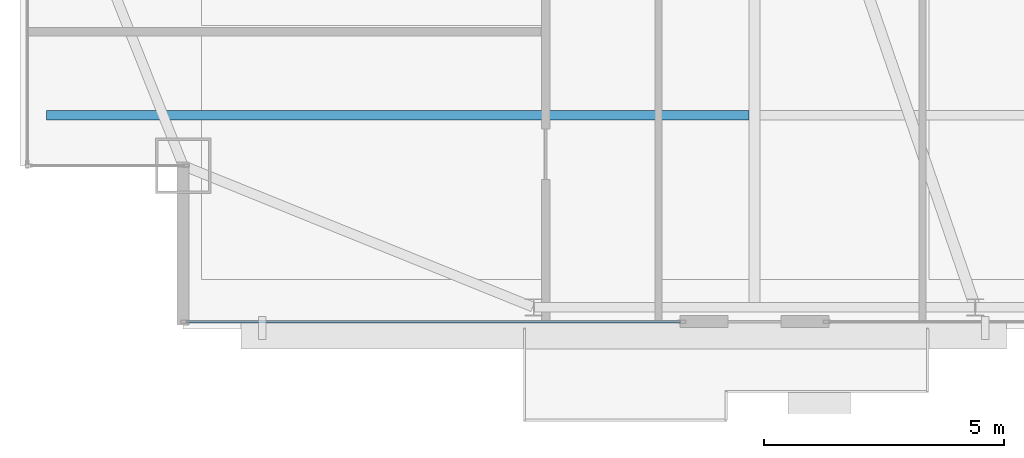
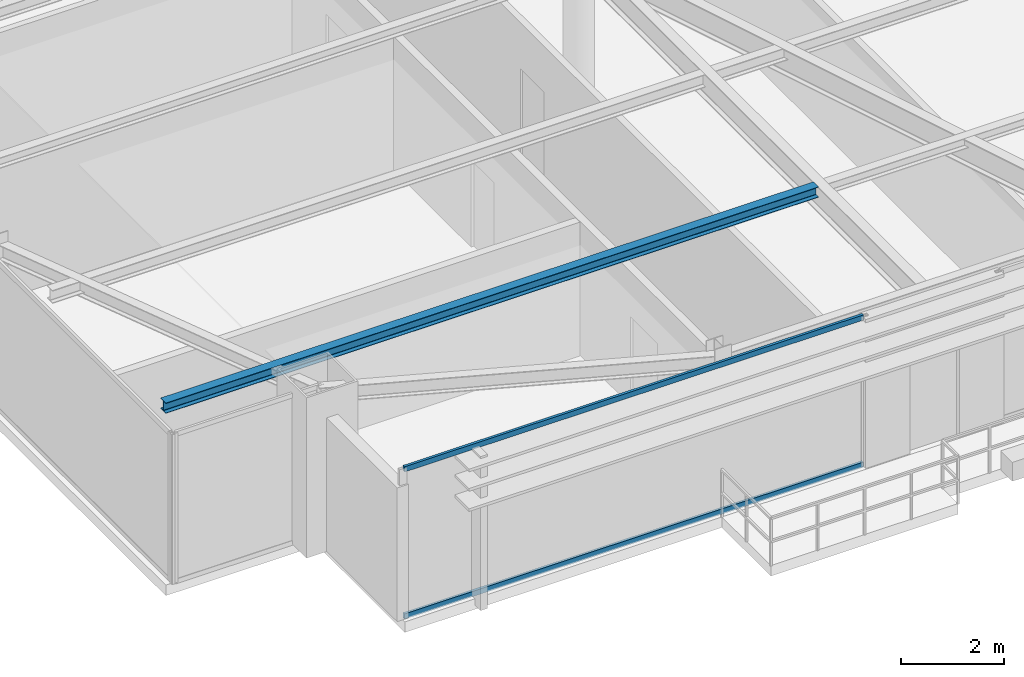
# One storey, part 5 of 31: 2 members, 1 beam, 1 element without a shape of its own.
"""IFC4 building model written with IfcOpenShell, lengths in metres."""

from ifc_helpers import new_model, si_unit, direction, frame, origin, origin_2d, place, context, subcontext, project, spatial, hollow_rectangle, i_section, extrude, source, transform, mapped, material, layer, layer_set, material_profile, profile_set, type_object, type_shapes, element, aggregate, save


model = new_model("IFC4")

# Units and contexts
model_context = context("Model", 3, precision=1e-05, world=origin(), true_north=direction((0.0, 1.0)))
body_context = subcontext(model_context, "Body", "Model", "MODEL_VIEW")
ifc_project = project(units=[si_unit("LENGTHUNIT", "METRE"), si_unit("AREAUNIT", "SQUARE_METRE"), si_unit("VOLUMEUNIT", "CUBIC_METRE"), si_unit("PLANEANGLEUNIT", "RADIAN"), si_unit("MASSUNIT", "GRAM", prefix="KILO")], contexts=[model_context])

# Site, building, storey
site_placement = place(None, origin())
site = spatial("IfcSite", under=ifc_project, at=site_placement, CompositionType="ELEMENT")
building_placement = place(site_placement, origin())
building = spatial("IfcBuilding", under=site, at=building_placement, Name="Varnel Quay Broadcast Tower", CompositionType="ELEMENT")
storey_placement = place(building_placement, frame((0.0, 0.0, 215.0)))
storey = spatial("IfcBuildingStorey", under=building, at=storey_placement, Name="L53", CompositionType="ELEMENT", Elevation=215.0)

# Beam
ifc_material_1 = material(Name="Structural Steel CSA G40.21 350W", Category="steel")
ifc_material_profile_1 = material_profile(ifc_material_1, i_section(OverallWidth=0.201904296875, OverallDepth=0.2470703125, WebThickness=0.00732421875, FlangeThickness=0.010986328125, FilletRadius=0.010986328125, at=origin_2d()), Name="W250X49")
ifc_profile_set_1 = profile_set([ifc_material_profile_1], Name="Structural Steel CSA G40.21 350W")
beam_type = type_object("IfcBeamType", Name="Beam_W250X49", PredefinedType="JOIST", material=ifc_profile_set_1)
shared_shape_1 = source(origin(), body_context, "Body", "SweptSolid", [
    extrude(i_section(OverallWidth=0.201904296875, OverallDepth=0.2470703125, WebThickness=0.00732421875, FlangeThickness=0.010986328125, FilletRadius=0.010986328125, at=origin_2d()), origin(), (0.0, 0.0, 1.0), 14.642333984375),
])
type_shapes(beam_type, [shared_shape_1])
beam_placement = place(storey_placement, frame((10.047607421875, 14.64990234375, 3.426513671875), z_axis=(1.0, 0.0, 0.0), x_axis=(0.0, 1.0, 0.0)))
element("IfcBeam", 1, at=beam_placement, inside=storey, type_object=beam_type, Name="L53 West Floor Joist 1", PredefinedType="JOIST", context=body_context, shape_type="MappedRepresentation", body=[
    mapped(shared_shape_1, transform((0.0, 0.0, 0.0), x_axis=(1.0, 0.0, 0.0), y_axis=(0.0, 1.0, 0.0), z_axis=(0.0, 0.0, 1.0), scale=1.0)),
])

# Curtain wall, members
ifc_material_2 = material(Name="Anodised Bronze Aluminium 6063-T6", Category="aluminium")
ifc_layer = layer(ifc_material_2, 0.18994140625, Name="Anodised Bronze Aluminium 6063-T6")
ifc_layer_set = layer_set([ifc_layer], Name="Anodised Bronze Aluminium 6063-T6")
curtain_wall_type = type_object("IfcCurtainWallType", Name="CW_UpperTower", PredefinedType="NOTDEFINED", material=ifc_layer_set)
curtain_wall_placement = place(storey_placement, origin())
curtain_wall = element("IfcCurtainWall", 2, at=curtain_wall_placement, inside=storey, type_object=curtain_wall_type, Name="L53 South Unitised Curtain Wall 1", PredefinedType="NOTDEFINED")
ifc_material_profile_2 = material_profile(ifc_material_2, hollow_rectangle(XDim=0.06005859375, YDim=0.125, WallThickness=0.0029296875, at=origin_2d()), Name="ALU60X125X3")
ifc_profile_set_2 = profile_set([ifc_material_profile_2], Name="Anodised Bronze Aluminium 6063-T6")
member_type = type_object("IfcMemberType", Name="Tran_CWS-03", PredefinedType="USERDEFINED", material=ifc_profile_set_2)
shared_shape_2 = source(origin(), body_context, "Body", "SweptSolid", [
    extrude(hollow_rectangle(XDim=0.06005859375, YDim=0.125, WallThickness=0.0029296875, at=origin_2d()), origin(), (0.0, 0.0, 1.0), 10.289794921875),
])
type_shapes(member_type, [shared_shape_2])
member_1_placement = place(storey_placement, frame((12.965087890625, 10.35009765625, 0.030029296875), z_axis=(1.0, 0.0, 0.0), x_axis=(0.0, 1.0, 0.0)))
member_1 = element("IfcMember", 3, at=member_1_placement, type_object=member_type, Name="CWS-03 transom 1.1", ObjectType="TRANSOM", PredefinedType="USERDEFINED", context=body_context, shape_type="MappedRepresentation", body=[
    mapped(shared_shape_2, transform((0.0, 0.0, 0.0), x_axis=(1.0, 0.0, 0.0), y_axis=(0.0, 1.0, 0.0), z_axis=(0.0, 0.0, 1.0), scale=1.0)),
])
member_2_placement = place(storey_placement, frame((12.965087890625, 10.35009765625, 3.52001953125), z_axis=(1.0, 0.0, 0.0), x_axis=(0.0, 1.0, 0.0)))
member_2 = element("IfcMember", 4, at=member_2_placement, type_object=member_type, Name="CWS-03 transom 1.2", ObjectType="TRANSOM", PredefinedType="USERDEFINED", context=body_context, shape_type="MappedRepresentation", body=[
    mapped(shared_shape_2, transform((0.0, 0.0, 0.0), x_axis=(1.0, 0.0, 0.0), y_axis=(0.0, 1.0, 0.0), z_axis=(0.0, 0.0, 1.0), scale=1.0)),
])
aggregate(curtain_wall, [member_1, member_2])

save(model, "model.ifc")
